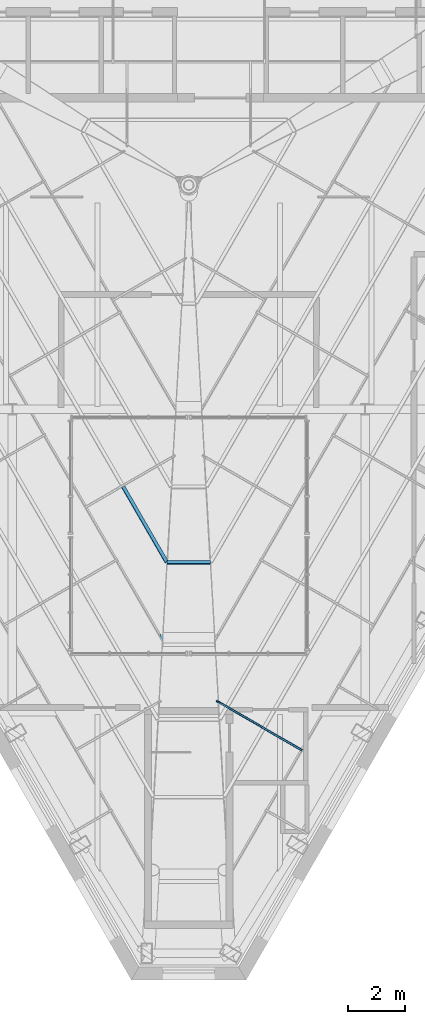
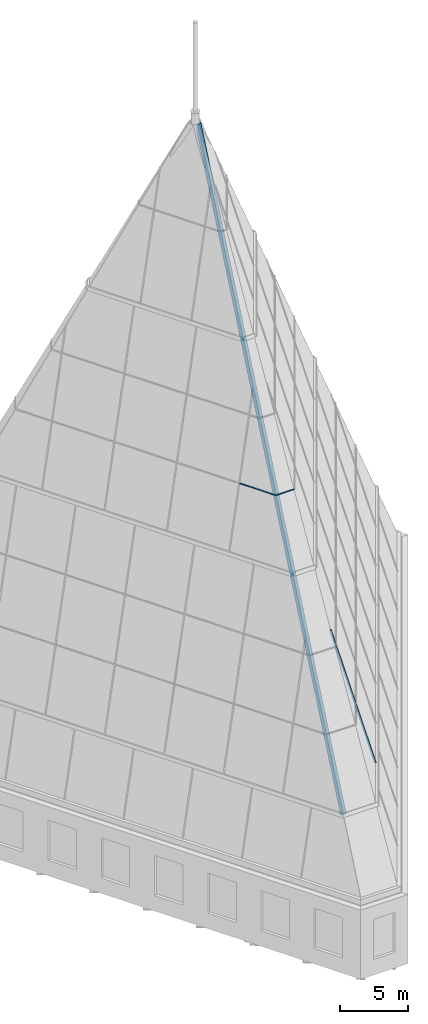
# One storey, part 5 of 36: 4 members, 4 elements without a shape of their own.
"""IFC4 building model written with IfcOpenShell, lengths in metres."""

from ifc_helpers import new_model, si_unit, direction, frame, origin, origin_2d, place, context, subcontext, project, spatial, rectangle, hollow_circle, extrude, clip, halfspace, material, layer, layer_set, material_profile, profile_set, type_object, element, aggregate, save


model = new_model("IFC4")

# Units and contexts
model_context = context("Model", 3, precision=1e-05, world=origin(), true_north=direction((0.0, 1.0)))
body_context = subcontext(model_context, "Body", "Model", "MODEL_VIEW")
ifc_project = project(units=[si_unit("LENGTHUNIT", "METRE"), si_unit("AREAUNIT", "SQUARE_METRE"), si_unit("VOLUMEUNIT", "CUBIC_METRE"), si_unit("PLANEANGLEUNIT", "RADIAN"), si_unit("MASSUNIT", "GRAM", prefix="KILO")], contexts=[model_context])

# Site, building, storey
site_placement = place(None, origin())
site = spatial("IfcSite", under=ifc_project, at=site_placement, CompositionType="ELEMENT")
building_placement = place(site_placement, origin())
building = spatial("IfcBuilding", under=site, at=building_placement, Name="Njiva Tower", CompositionType="ELEMENT")
storey_placement = place(building_placement, frame((0.0, 0.0, 337.8)))
storey = spatial("IfcBuildingStorey", under=building, at=storey_placement, Name="L77", CompositionType="ELEMENT", Elevation=337.8)

# Curtain wall, member
ifc_material_1 = material(Name="Glazed curtain wall", Category="glass")
ifc_layer_1 = layer(ifc_material_1, 0.16)
ifc_layer_set_1 = layer_set([ifc_layer_1], Name="Glazed curtain wall")
curtain_wall_type_1 = type_object("IfcCurtainWallType", Name="CW2 Crown glazing, faceted point, long faces", PredefinedType="NOTDEFINED", material=ifc_layer_set_1)
curtain_wall_1_placement = place(storey_placement, origin())
curtain_wall_1 = element("IfcCurtainWall", 1, at=curtain_wall_1_placement, inside=storey, type_object=curtain_wall_type_1, Name="Crown glazing face SW tier 2", PredefinedType="NOTDEFINED")
ifc_material_2 = material(Name="Steel S355 J2H", Category="steel")
ifc_material_profile_1 = material_profile(ifc_material_2, hollow_circle(Radius=0.2285, WallThickness=0.016, at=origin_2d()), Name="CHS 457x16")
ifc_profile_set_1 = profile_set([ifc_material_profile_1], Name="Steel S355 J2H")
member_type_1 = type_object("IfcMemberType", Name="CW2-H Crown glazing hip CHS 457x16", PredefinedType="USERDEFINED", material=ifc_profile_set_1)
member_1_placement = place(storey_placement, frame((-1.2455, -19.2673, 11.9871), z_axis=(0.025674564099, 0.449238396678, 0.893042932735), x_axis=(-0.998370853569, 0.057058204873, 0.0)))
member_1 = element("IfcMember", 2, at=member_1_placement, type_object=member_type_1, Name="Crown glazing hip", ObjectType="HIP", PredefinedType="USERDEFINED", context=body_context, shape_type="Clipping", body=[
    clip(extrude(hollow_circle(Radius=0.2285, WallThickness=0.016, at=origin_2d()), origin(), (0.0, 0.0, 1.0), 52.6513), halfspace(frame((-0.0236, 0.0388, 52.6318), z_axis=(0.476990796962, -0.784902835577, 0.395483651137), x_axis=(0.0, 0.449971466086, 0.893042932735)), False)),
])
aggregate(curtain_wall_1, [member_1])

curtain_wall_2_placement = place(storey_placement, origin())
curtain_wall_2 = element("IfcCurtainWall", 3, at=curtain_wall_2_placement, inside=storey, type_object=curtain_wall_type_1, Name="Crown glazing face SE tier 2", PredefinedType="NOTDEFINED")
ifc_material_3 = material(Name="Aluminium mullion", Category="aluminium")
ifc_material_profile_2 = material_profile(ifc_material_3, rectangle(XDim=0.16, YDim=0.06, at=origin_2d()), Name="RECT 160x60")
ifc_profile_set_2 = profile_set([ifc_material_profile_2], Name="Aluminium mullion")
member_type_2 = type_object("IfcMemberType", Name="CW2-M Crown glazing mullion 160x60", PredefinedType="MULLION", material=ifc_profile_set_2)
member_2_placement = place(storey_placement, frame((3.8877, -15.0558, 12.2446), z_axis=(-0.230734655493, 0.133217374048, 0.963854060533), x_axis=(0.834717937281, -0.481934243634, 0.266430760225)))
member_2 = element("IfcMember", 4, at=member_2_placement, type_object=member_type_2, Name="CW2-52 mullion 1", PredefinedType="MULLION", context=body_context, shape_type="Clipping", body=[
    clip(clip(extrude(rectangle(XDim=0.16, YDim=0.06, at=origin_2d()), origin(), (0.0, 0.0, 1.0), 12.3865), halfspace(frame((0.08, 0.0, 0.0), z_axis=(-2.362031e-06, 2.302167e-06, -0.999999999995), x_axis=(0.0, -0.999999999997, -2.302167e-06)), False)), halfspace(frame((0.08, 0.0, 12.3865), z_axis=(8.605755e-06, -0.926533268814, 0.376212840966), x_axis=(0.0, 0.37621284098, 0.926533268848)), False)),
])
aggregate(curtain_wall_2, [member_2])

curtain_wall_3_placement = place(storey_placement, origin())
curtain_wall_3 = element("IfcCurtainWall", 5, at=curtain_wall_3_placement, inside=storey, type_object=curtain_wall_type_1, Name="Crown glazing face SW tier 3", PredefinedType="NOTDEFINED")
ifc_material_4 = material(Name="Aluminium transom", Category="aluminium")
ifc_material_profile_3 = material_profile(ifc_material_4, rectangle(XDim=0.12, YDim=0.06, at=origin_2d()), Name="RECT 120x60")
ifc_profile_set_3 = profile_set([ifc_material_profile_3], Name="Aluminium transom")
member_type_3 = type_object("IfcMemberType", Name="CW2-T Crown glazing transom 120x60", PredefinedType="USERDEFINED", material=ifc_profile_set_3)
member_3_placement = place(storey_placement, frame((-2.2913, -5.8976, 33.8869), z_axis=(0.499989459123, -0.866031489477, 0.0), x_axis=(-0.834728512598, -0.481917184998, 0.266428483949)))
member_3 = element("IfcMember", 6, at=member_3_placement, type_object=member_type_3, Name="CW2-33 transom 5.1", ObjectType="TRANSOM", PredefinedType="USERDEFINED", context=body_context, shape_type="Clipping", body=[
    clip(extrude(rectangle(XDim=0.12, YDim=0.06, at=origin_2d()), origin(), (0.0, 0.0, 1.0), 3.0475), halfspace(frame((0.06, 0.0, 3.0475), z_axis=(-1.0869773e-05, -0.376217978813, 0.926531182584), x_axis=(0.0, 0.926531182638, 0.376217978835)), False)),
])
aggregate(curtain_wall_3, [member_3])

ifc_layer_2 = layer(ifc_material_1, 0.16)
ifc_layer_set_2 = layer_set([ifc_layer_2], Name="Glazed curtain wall")
curtain_wall_type_2 = type_object("IfcCurtainWallType", Name="CW3 Crown glazing, faceted point, corner faces", PredefinedType="NOTDEFINED", material=ifc_layer_set_2)
curtain_wall_4_placement = place(storey_placement, origin())
curtain_wall_4 = element("IfcCurtainWall", 7, at=curtain_wall_4_placement, inside=storey, type_object=curtain_wall_type_2, Name="Crown glazing face S tier 3", PredefinedType="NOTDEFINED")
ifc_material_profile_4 = material_profile(ifc_material_4, rectangle(XDim=0.12, YDim=0.06, at=origin_2d()), Name="RECT 120x60")
ifc_profile_set_4 = profile_set([ifc_material_profile_4], Name="Aluminium transom")
member_type_4 = type_object("IfcMemberType", Name="CW3-T Crown corner glazing transom 120x60", PredefinedType="USERDEFINED", material=ifc_profile_set_4)
member_4_placement = place(storey_placement, frame((-0.751, -8.5468, 33.887), z_axis=(1.0, 0.0, 0.0), x_axis=(0.0, -0.893337093856, 0.449387179101)))
member_4 = element("IfcMember", 8, at=member_4_placement, type_object=member_type_4, Name="CW3-43 transom 1.1", ObjectType="TRANSOM", PredefinedType="USERDEFINED", context=body_context, shape_type="Clipping", body=[
    clip(clip(extrude(rectangle(XDim=0.12, YDim=0.06, at=origin_2d()), origin(), (0.0, 0.0, 1.0), 1.502), halfspace(frame((0.06, 0.0, 0.0), z_axis=(5.16e-10, -0.025674887923, -0.999670345729), x_axis=(0.0, -0.999670345729, 0.025674887923)), False)), halfspace(frame((0.06, 0.0, 1.502), z_axis=(5.16e-10, -0.025674887923, 0.999670345729), x_axis=(0.0, 0.999670345729, 0.025674887923)), False)),
])
aggregate(curtain_wall_4, [member_4])

save(model, "model.ifc")
